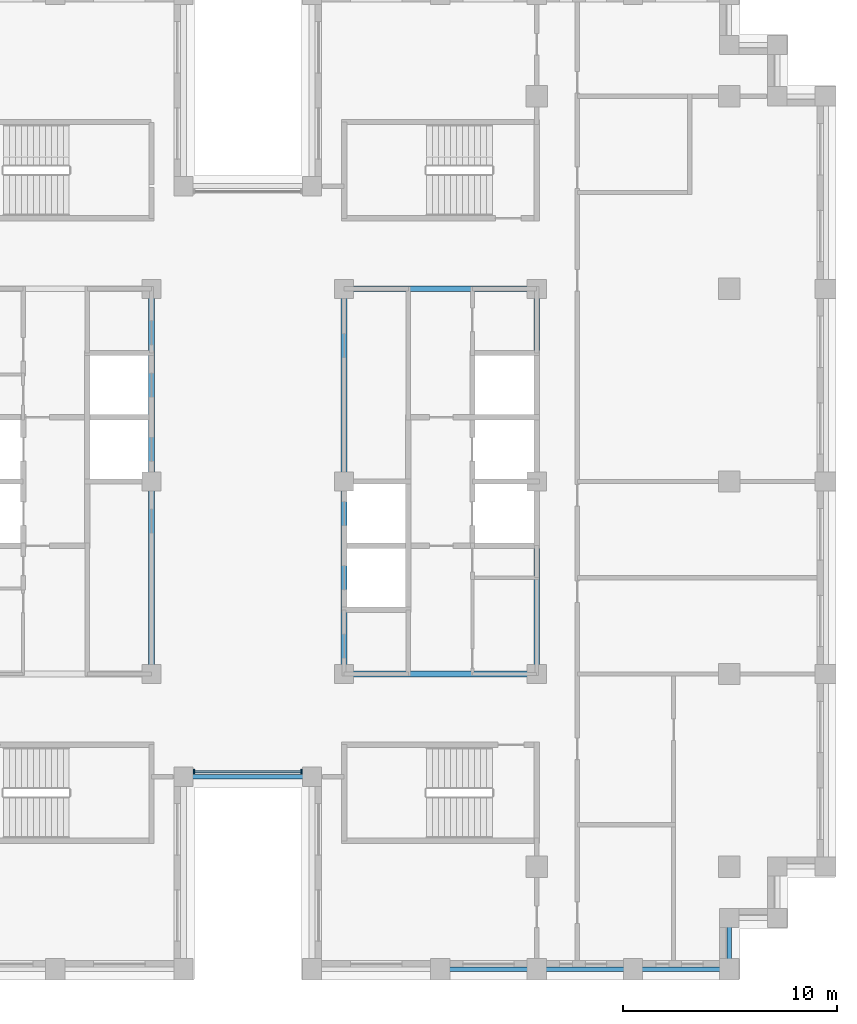
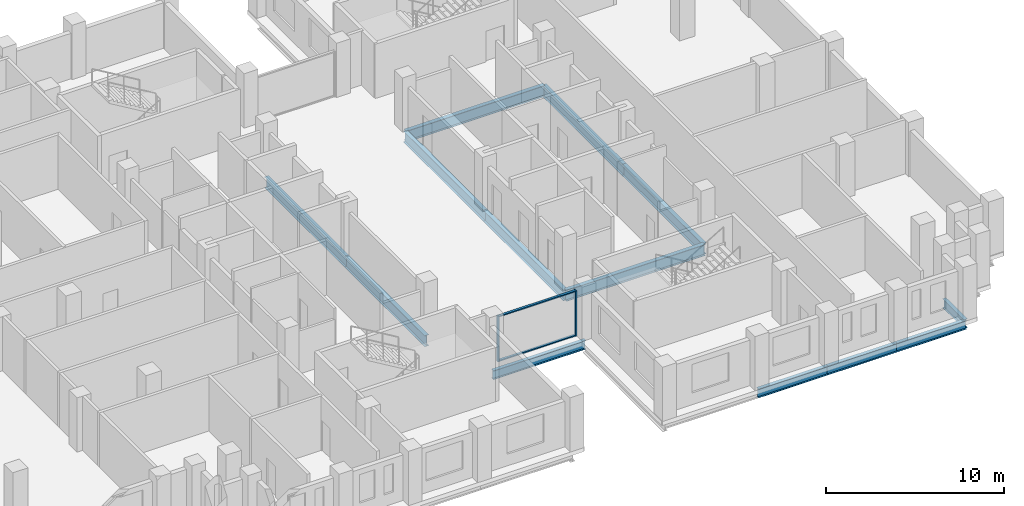
# One storey, part 2 of 15: 13 beams, 4 members, 1 element without a shape of its own.
"""IFC4 building model written with IfcOpenShell, lengths in metres."""

from ifc_helpers import new_model, si_unit, direction, frame, origin, origin_2d, place, context, subcontext, project, spatial, rectangle, i_section, extrude, material, layer, layer_set, material_profile, profile_set, type_object, element, aggregate, save


model = new_model("IFC4")

# Units and contexts
model_context = context("Model", 3, precision=1e-05, world=origin(), true_north=direction((0.0, 1.0)))
body_context = subcontext(model_context, "Body", "Model", "MODEL_VIEW")
ifc_project = project(units=[si_unit("LENGTHUNIT", "METRE"), si_unit("AREAUNIT", "SQUARE_METRE"), si_unit("VOLUMEUNIT", "CUBIC_METRE"), si_unit("PLANEANGLEUNIT", "RADIAN"), si_unit("MASSUNIT", "GRAM", prefix="KILO")], contexts=[model_context])

# Site, building, storey
site_placement = place(None, origin())
site = spatial("IfcSite", under=ifc_project, at=site_placement, CompositionType="ELEMENT")
building_placement = place(site_placement, origin())
building = spatial("IfcBuilding", under=site, at=building_placement, Name="Corbelhall Arena Tower", CompositionType="ELEMENT")
storey_placement = place(building_placement, frame((0.0, 0.0, 212.0)))
storey = spatial("IfcBuildingStorey", under=building, at=storey_placement, Name="L44", CompositionType="ELEMENT", Elevation=212.0)

# Curtain wall, members
ifc_material_1 = material(Name="Aluminium black anodised", Category="aluminium")
ifc_layer = layer(ifc_material_1, 0.199951171875)
ifc_layer_set = layer_set([ifc_layer], Name="EV-CW1 Slot back wall")
curtain_wall_type = type_object("IfcCurtainWallType", Name="EV-CW1 Slot back wall", PredefinedType="NOTDEFINED", material=ifc_layer_set)
curtain_wall_placement = place(storey_placement, origin())
curtain_wall = element("IfcCurtainWall", 1, at=curtain_wall_placement, inside=storey, type_object=curtain_wall_type, Name="Curtain wall CW1", PredefinedType="NOTDEFINED")
ifc_material_profile_1 = material_profile(ifc_material_1, rectangle(XDim=0.199951171875, YDim=0.074951171875, at=origin_2d()))
ifc_profile_set_1 = profile_set([ifc_material_profile_1], Name="Aluminium black anodised")
member_type_1 = type_object("IfcMemberType", Name="EV-CW1-MULLION", PredefinedType="MULLION", material=ifc_profile_set_1)
member_1_placement = place(storey_placement, frame((-2.512451171875, -13.550048828125, 0.0), z_axis=(0.0, 0.0, 1.0), x_axis=(0.0, 1.0, 0.0)))
member_1 = element("IfcMember", 2, at=member_1_placement, type_object=member_type_1, Name="CW1 mullion 1", PredefinedType="MULLION", context=body_context, shape_type="SweptSolid", body=[
    extrude(rectangle(XDim=0.199951171875, YDim=0.074951171875, at=origin_2d()), origin(), (0.0, 0.0, 1.0), 3.1201171875),
])
member_2_placement = place(storey_placement, frame((2.512451171875, -13.550048828125, 0.0), z_axis=(0.0, 0.0, 1.0), x_axis=(0.0, 1.0, 0.0)))
member_2 = element("IfcMember", 3, at=member_2_placement, type_object=member_type_1, Name="CW1 mullion 2", PredefinedType="MULLION", context=body_context, shape_type="SweptSolid", body=[
    extrude(rectangle(XDim=0.199951171875, YDim=0.074951171875, at=origin_2d()), origin(), (0.0, 0.0, 1.0), 3.1201171875),
])
ifc_material_profile_2 = material_profile(ifc_material_1, rectangle(XDim=0.14990234375, YDim=0.074951171875, at=origin_2d()))
ifc_profile_set_2 = profile_set([ifc_material_profile_2], Name="Aluminium black anodised")
member_type_2 = type_object("IfcMemberType", Name="EV-CW1-TRANSOM", PredefinedType="USERDEFINED", material=ifc_profile_set_2)
member_3_placement = place(storey_placement, frame((-2.47509765625, -13.550048828125, 0.03759765625), z_axis=(1.0, 0.0, 0.0), x_axis=(0.0, 1.0, 0.0)))
member_3 = element("IfcMember", 4, at=member_3_placement, type_object=member_type_2, Name="CW1 transom 1.1", ObjectType="transom", PredefinedType="USERDEFINED", context=body_context, shape_type="SweptSolid", body=[
    extrude(rectangle(XDim=0.14990234375, YDim=0.074951171875, at=origin_2d()), origin(), (0.0, 0.0, 1.0), 4.9501953125),
])
member_4_placement = place(storey_placement, frame((-2.47509765625, -13.550048828125, 3.08251953125), z_axis=(1.0, 0.0, 0.0), x_axis=(0.0, 1.0, 0.0)))
member_4 = element("IfcMember", 5, at=member_4_placement, type_object=member_type_2, Name="CW1 transom 1.2", ObjectType="transom", PredefinedType="USERDEFINED", context=body_context, shape_type="SweptSolid", body=[
    extrude(rectangle(XDim=0.14990234375, YDim=0.074951171875, at=origin_2d()), origin(), (0.0, 0.0, 1.0), 4.9501953125),
])
aggregate(curtain_wall, [member_1, member_2, member_3, member_4])

# Beams
ifc_material_2 = material(Name="Steel ASTM A992 Gr50", Category="steel")
ifc_material_profile_3 = material_profile(ifc_material_2, i_section(OverallWidth=0.2666015625, OverallDepth=0.761962890625, WebThickness=0.014404296875, FlangeThickness=0.021484375, at=origin_2d()))
ifc_profile_set_3 = profile_set([ifc_material_profile_3], Name="Steel ASTM A992 Gr50")
beam_type_1 = type_object("IfcBeamType", Name="ST-BEAM-W30x116", PredefinedType="BEAM", material=ifc_profile_set_3)
for number, where, z_axis, x_axis, name in (
    (6, (-4.5, -9.0, -0.660888671875), (0.0, 1.0, 0.0), (-1.0, 0.0, 0.0), "Beam CEW 3"),
    (7, (-4.5, 0.0, -0.660888671875), (0.0, 1.0, 0.0), (-1.0, 0.0, 0.0), "Beam CEW 4"),
    (8, (4.5, -9.0, -0.660888671875), (0.0, 1.0, 0.0), (-1.0, 0.0, 0.0), "Beam CEE 7"),
    (9, (4.5, 0.0, -0.660888671875), (0.0, 1.0, 0.0), (-1.0, 0.0, 0.0), "Beam CEE 8"),
    (10, (13.5, -9.0, -0.660888671875), (0.0, 1.0, 0.0), (-1.0, 0.0, 0.0), "Beam CEE 9"),
    (11, (13.5, 0.0, -0.660888671875), (0.0, 1.0, 0.0), (-1.0, 0.0, 0.0), "Beam CEE 10"),
    (12, (4.5, -9.0, -0.660888671875), (1.0, 0.0, 0.0), (0.0, 1.0, 0.0), "Beam CEE 11"),
    (13, (4.5, 9.0, -0.660888671875), (1.0, 0.0, 0.0), (0.0, 1.0, 0.0), "Beam CEE 12"),
):
    element("IfcBeam", number, at=place(storey_placement, frame(where, z_axis=z_axis, x_axis=x_axis)), inside=storey, type_object=beam_type_1, Name=name, PredefinedType="BEAM", context=body_context, shape_type="SweptSolid", body=[
        extrude(i_section(OverallWidth=0.2666015625, OverallDepth=0.761962890625, WebThickness=0.014404296875, FlangeThickness=0.021484375, at=origin_2d()), origin(), (0.0, 0.0, 1.0), 9.0),
    ])
ifc_material_profile_4 = material_profile(ifc_material_2, i_section(OverallWidth=0.228271484375, OverallDepth=0.607177734375, WebThickness=0.01123046875, FlangeThickness=0.017333984375, at=origin_2d()))
ifc_profile_set_4 = profile_set([ifc_material_profile_4], Name="Steel ASTM A992 Gr50")
beam_type_2 = type_object("IfcBeamType", Name="ST-SPANDREL-W24x76", PredefinedType="SPANDREL", material=ifc_profile_set_4)
for number, where, z_axis, x_axis, name in (
    (14, (13.5, -22.800048828125, -0.58349609375), (-1.0, 0.0, 0.0), (0.0, -1.0, 0.0), "Beam SP 25"),
    (15, (18.0, -22.800048828125, -0.58349609375), (-1.0, 0.0, 0.0), (0.0, -1.0, 0.0), "Beam SP 26"),
    (16, (22.5, -22.800048828125, -0.58349609375), (-1.0, 0.0, 0.0), (0.0, -1.0, 0.0), "Beam SP 27"),
):
    element("IfcBeam", number, at=place(storey_placement, frame(where, z_axis=z_axis, x_axis=x_axis)), inside=storey, type_object=beam_type_2, Name=name, PredefinedType="SPANDREL", context=body_context, shape_type="SweptSolid", body=[
        extrude(i_section(OverallWidth=0.228271484375, OverallDepth=0.607177734375, WebThickness=0.01123046875, FlangeThickness=0.017333984375, at=origin_2d()), origin(), (0.0, 0.0, 1.0), 4.5),
    ])
beam_1_placement = place(storey_placement, frame((3.0, -13.800048828125, -0.58349609375), z_axis=(-1.0, 0.0, 0.0), x_axis=(0.0, -1.0, 0.0)))
element("IfcBeam", 17, at=beam_1_placement, inside=storey, type_object=beam_type_2, Name="Beam SP 37", PredefinedType="SPANDREL", context=body_context, shape_type="SweptSolid", body=[
    extrude(i_section(OverallWidth=0.228271484375, OverallDepth=0.607177734375, WebThickness=0.01123046875, FlangeThickness=0.017333984375, at=origin_2d()), origin(), (0.0, 0.0, 1.0), 6.0),
])
beam_2_placement = place(storey_placement, frame((22.5, -20.39990234375, -0.58349609375), z_axis=(0.0, -1.0, 0.0), x_axis=(1.0, 0.0, 0.0)))
element("IfcBeam", 18, at=beam_2_placement, inside=storey, type_object=beam_type_2, Name="Beam SP 45", PredefinedType="SPANDREL", context=body_context, shape_type="SweptSolid", body=[
    extrude(i_section(OverallWidth=0.228271484375, OverallDepth=0.607177734375, WebThickness=0.01123046875, FlangeThickness=0.017333984375, at=origin_2d()), origin(), (0.0, 0.0, 1.0), 2.400146484375),
])

save(model, "model.ifc")
